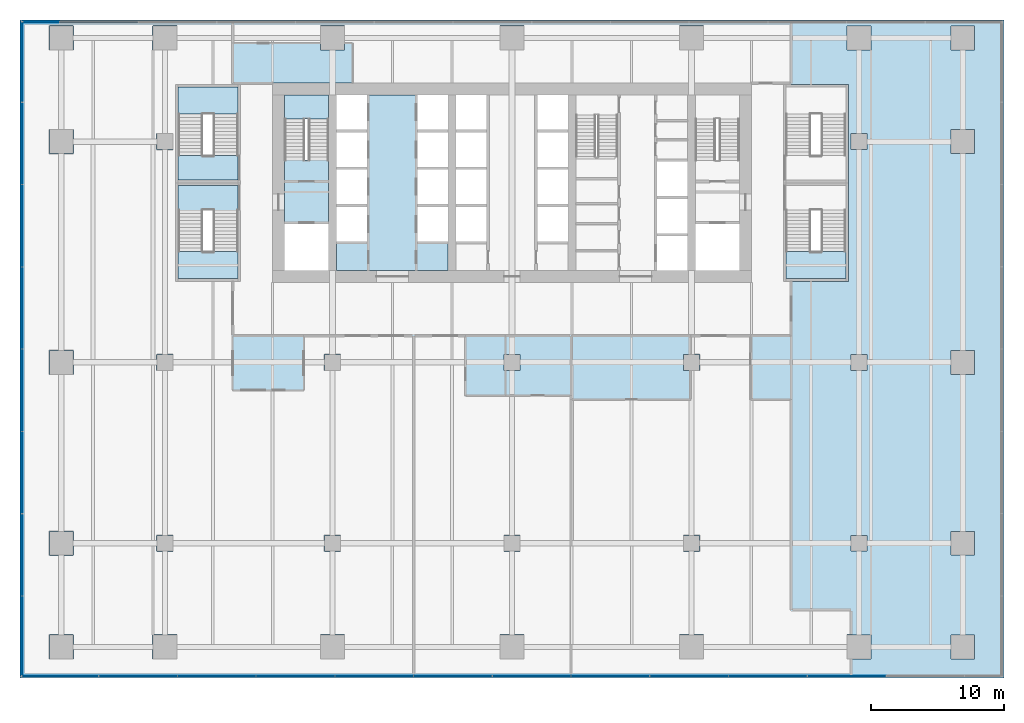
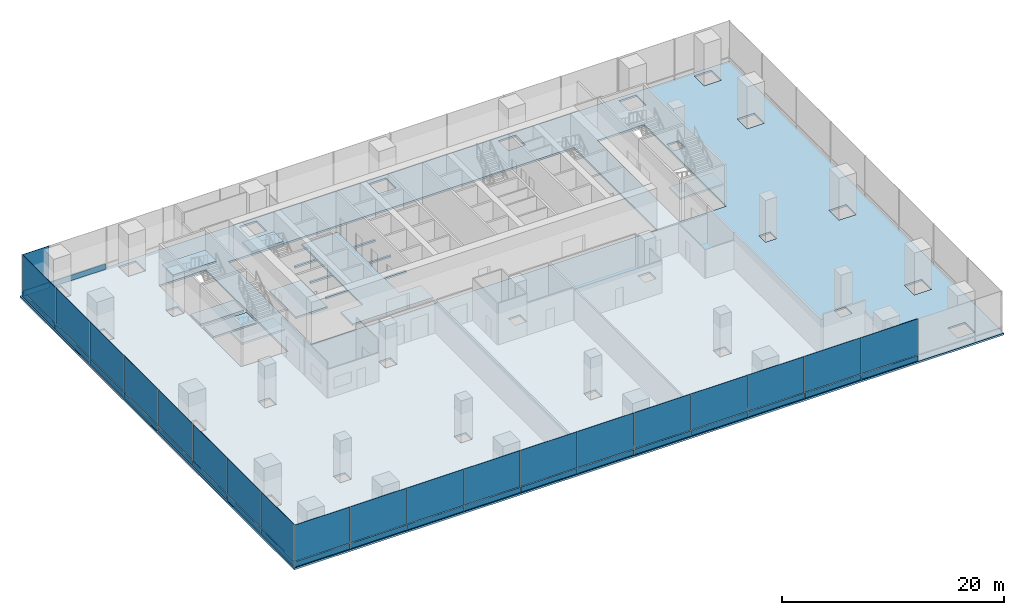
# One storey, part 17 of 28: 41 plates, 9 slabs, 7 elements without a shape of their own.
"""IFC4 building model written with IfcOpenShell, lengths in metres."""

import ifcopenshell
import ifcopenshell.guid

model = None  # the IFC model being written
_history = None  # IfcOwnerHistory: only IFC2X3 demands one
_inside = {}  # id of a spatial element -> (the spatial element, [elements in it])
_under = {}  # id of a project, library or spatial element -> (it, [spatial elements below it])
_declared = {}  # id of a project -> (the project, [libraries it declares])
_typed = {}  # id of a type object -> (the type object, [elements of that type])
_made_of = {}  # id of a material, layer set ... -> (it, [elements and type objects made of it])


def new_model(schema):
    """Start an empty IFC model of exactly this schema.

    Asked for "IFC4X3", IfcOpenShell would pick the latest addendum, in which some entities
    have other attributes; the version numbers below select the first issue.
    IFC2X3 requires an IfcOwnerHistory on every rooted entity: one is made here for all.
    """
    global model, _history
    if schema == "IFC4X3":
        model = ifcopenshell.file(schema_version=(4, 3, 0, 0))
    else:
        model = ifcopenshell.file(schema=schema)
    _inside.clear()
    _under.clear()
    _declared.clear()
    _typed.clear()
    _made_of.clear()
    _history = None
    if model.schema == "IFC2X3":
        org = make("IfcOrganization", Name="unknown")
        user = make(
            "IfcPersonAndOrganization",
            ThePerson=make("IfcPerson", FamilyName="unknown"),
            TheOrganization=org,
        )
        app = make(
            "IfcApplication",
            ApplicationDeveloper=org,
            Version="unknown",
            ApplicationFullName="unknown",
            ApplicationIdentifier="unknown",
        )
        _history = make(
            "IfcOwnerHistory",
            OwningUser=user,
            OwningApplication=app,
            ChangeAction="ADDED",
            CreationDate=0,
        )
    return model


def make(cls, **values):
    """One entity of the class cls with the attributes given. An attribute that is None is left unset."""
    return model.create_entity(
        cls, **{name: value for name, value in values.items() if value is not None}
    )


def rooted(cls, **values):
    """An entity with a GlobalId (a new one), such as an element, a storey or a relation."""
    return make(cls, GlobalId=ifcopenshell.guid.new(), OwnerHistory=_history, **values)


def si_unit(unit_type, name, prefix=None):
    """IfcSIUnit, for example si_unit("LENGTHUNIT", "METRE", prefix="MILLI")."""
    return make("IfcSIUnit", UnitType=unit_type, Prefix=prefix, Name=name)


def assignment(units):
    """IfcUnitAssignment: the units of a project."""
    return None if units is None else make("IfcUnitAssignment", Units=units)


def point(xyz):
    """IfcCartesianPoint."""
    return None if xyz is None else make("IfcCartesianPoint", Coordinates=xyz)


def direction(xyz):
    """IfcDirection."""
    return None if xyz is None else make("IfcDirection", DirectionRatios=xyz)


def frame(location, z_axis=None, x_axis=None):
    """IfcAxis2Placement3D, a coordinate frame: its origin and axes. An axis left out is left unset."""
    return make(
        "IfcAxis2Placement3D",
        Location=point(location),
        Axis=direction(z_axis),
        RefDirection=direction(x_axis),
    )


def frame_2d(location, x_axis=None):
    """IfcAxis2Placement2D, a coordinate frame in the plane: its origin and x axis."""
    return make(
        "IfcAxis2Placement2D", Location=point(location), RefDirection=direction(x_axis)
    )


def origin():
    """The frame at (0, 0, 0) with its axes left unset."""
    return frame((0.0, 0.0, 0.0))


def origin_2d():
    """The frame at (0, 0) in the plane with its x axis left unset."""
    return frame_2d((0.0, 0.0))


def place(relative_to, where):
    """IfcLocalPlacement: puts the frame where relative to a parent placement (None: the world)."""
    return make(
        "IfcLocalPlacement", PlacementRelTo=relative_to, RelativePlacement=where
    )


def context(
    kind, dimensions, precision=None, world=None, true_north=None, identifier=None
):
    """IfcGeometricRepresentationContext, for example the 3D "Model" context."""
    return make(
        "IfcGeometricRepresentationContext",
        ContextIdentifier=identifier,
        ContextType=kind,
        CoordinateSpaceDimension=dimensions,
        Precision=precision,
        WorldCoordinateSystem=world,
        TrueNorth=true_north,
    )


def subcontext(parent, identifier, kind, view, scale=None):
    """IfcGeometricRepresentationSubContext, for example "Body" below "Model"."""
    return make(
        "IfcGeometricRepresentationSubContext",
        ContextIdentifier=identifier,
        ContextType=kind,
        ParentContext=parent,
        TargetScale=scale,
        TargetView=view,
    )


def project(units=None, contexts=None):
    """IfcProject with its units and contexts."""
    return rooted(
        "IfcProject",
        Name="project",
        RepresentationContexts=contexts,
        UnitsInContext=assignment(units),
    )


def spatial(cls, under=None, at=None, **own):
    """A site, building, storey or space (cls), placed at a placement, below another one or the project."""
    s = rooted(cls, ObjectPlacement=at, **own)
    if under is not None:
        _under.setdefault(under.id(), (under, []))[1].append(s)
    return s


def polyline(points):
    """IfcPolyline through the points."""
    return make("IfcPolyline", Points=[point(p) for p in points])


def profile(cls, at=None, kind="AREA", **sizes):
    """A parametric profile (cls). Its sizes go by their IFC names, for example OverallWidth=200.0."""
    return make(cls, ProfileType=kind, Position=at, **sizes)


def rectangle(**sizes):
    """IfcRectangleProfileDef."""
    return profile("IfcRectangleProfileDef", **sizes)


def outline(outer, holes=None, kind="AREA"):
    """IfcArbitraryClosedProfileDef: a profile drawn as a closed curve; with holes, ...WithVoids."""
    if holes is None:
        return make("IfcArbitraryClosedProfileDef", ProfileType=kind, OuterCurve=outer)
    return make(
        "IfcArbitraryProfileDefWithVoids",
        ProfileType=kind,
        OuterCurve=outer,
        InnerCurves=holes,
    )


def extrude(swept, where, along, depth):
    """IfcExtrudedAreaSolid: the profile swept, set in the frame where, extruded along a direction by depth."""
    return make(
        "IfcExtrudedAreaSolid",
        SweptArea=swept,
        Position=where,
        ExtrudedDirection=direction(along),
        Depth=depth,
    )


def shape(context_of_items, identifier, shape_type, items):
    """IfcShapeRepresentation: the items that make up one representation, for example the "Body"."""
    return make(
        "IfcShapeRepresentation",
        ContextOfItems=context_of_items,
        RepresentationIdentifier=identifier,
        RepresentationType=shape_type,
        Items=items,
    )


def material(Name=None, Category=None):
    """IfcMaterial."""
    return make("IfcMaterial", Name=Name, Category=Category)


def layer(
    of_material, thickness, ventilated=None, Name=None, Category=None, Priority=None
):
    """IfcMaterialLayer: one layer of a wall or slab, of a material (None: an air gap)."""
    return make(
        "IfcMaterialLayer",
        Material=of_material,
        LayerThickness=thickness,
        IsVentilated=ventilated,
        Name=Name,
        Category=Category,
        Priority=Priority,
    )


def layer_set(layers, Name=None):
    """IfcMaterialLayerSet."""
    return make("IfcMaterialLayerSet", MaterialLayers=layers, LayerSetName=Name)


def made_of(thing, what):
    """Note that an element or type object is made of a material, layer set ...; save() writes the relation."""
    if what is not None:
        _made_of.setdefault(what.id(), (what, []))[1].append(thing)
    return thing


def type_object(cls, material=None, **own):
    """A type object (cls), such as IfcWallType, which elements share."""
    return made_of(rooted(cls, **own), material)


def element(
    cls,
    number,
    at=None,
    inside=None,
    cuts=None,
    type_object=None,
    material=None,
    context=None,
    identifier="Body",
    shape_type=None,
    held_by="IfcProductDefinitionShape",
    body=None,
    shapes=None,
    **own,
):
    """One element of the class cls, such as IfcWall. Its Tag is "e" and its number.

    at: its placement. inside: the storey or other place that contains it. cuts: it is an
    opening in that element (IfcRelVoidsElement). A single representation is given by context,
    identifier, shape_type and body (its items); several are given by shapes. held_by: the class
    of the entity that holds the representations. save() writes the other relations.
    """
    e = rooted(cls, Tag="e%d" % number, ObjectPlacement=at, **own)
    if body is not None:
        shapes = [shape(context, identifier, shape_type, body)]
    if shapes is not None:
        e.Representation = make(held_by, Representations=shapes)
    if inside is not None:
        _inside.setdefault(inside.id(), (inside, []))[1].append(e)
    if cuts is not None:
        rooted(
            "IfcRelVoidsElement", RelatingBuildingElement=cuts, RelatedOpeningElement=e
        )
    if type_object is not None:
        _typed.setdefault(type_object.id(), (type_object, []))[1].append(e)
    return made_of(e, material)


def aggregate(whole, parts):
    """IfcRelAggregates: a whole, such as a stair, and the parts it consists of."""
    return rooted("IfcRelAggregates", RelatingObject=whole, RelatedObjects=parts)


def save(model, path):
    """Write the relations noted so far, then the file.

    IfcRelAggregates (storeys below a building ...), IfcRelContainedInSpatialStructure (elements
    in a storey), IfcRelDefinesByType, IfcRelAssociatesMaterial and IfcRelDeclares: one each for
    every whole, place, type object, material and project.
    """
    for whole, parts in _under.values():
        aggregate(whole, parts)
    for where, things in _inside.values():
        rooted(
            "IfcRelContainedInSpatialStructure",
            RelatedElements=things,
            RelatingStructure=where,
        )
    for kind, things in _typed.values():
        rooted("IfcRelDefinesByType", RelatedObjects=things, RelatingType=kind)
    for what, things in _made_of.values():
        rooted("IfcRelAssociatesMaterial", RelatedObjects=things, RelatingMaterial=what)
    for by, libraries in _declared.values():
        rooted("IfcRelDeclares", RelatingContext=by, RelatedDefinitions=libraries)
    model.write(path)


model = new_model("IFC4")

# Units and contexts
model_context = context("Model", 3, precision=1e-05, world=origin(), true_north=direction((0.0, 1.0)))
body_context = subcontext(model_context, "Body", "Model", "MODEL_VIEW")
ifc_project = project(units=[si_unit("LENGTHUNIT", "METRE"), si_unit("AREAUNIT", "SQUARE_METRE"), si_unit("VOLUMEUNIT", "CUBIC_METRE"), si_unit("PLANEANGLEUNIT", "RADIAN"), si_unit("MASSUNIT", "GRAM", prefix="KILO")], contexts=[model_context])

# Site, building, storey
site_placement = place(None, origin())
site = spatial("IfcSite", under=ifc_project, at=site_placement, CompositionType="ELEMENT")
building_placement = place(site_placement, origin())
building = spatial("IfcBuilding", under=site, at=building_placement, Name="Rattan Terrace Tower", CompositionType="ELEMENT")
storey_placement = place(building_placement, frame((0.0, 0.0, 22.199951171875)))
storey = spatial("IfcBuildingStorey", under=building, at=storey_placement, Name="L04", CompositionType="ELEMENT", Elevation=22.199951171875)

# Stair, slab
ifc_material_1 = material(Name="Concrete C40/50", Category="concrete")
stair_type_1 = type_object("IfcStairType", Name="Core exit stair 1500", PredefinedType="HALF_TURN_STAIR", material=ifc_material_1)
stair_1_placement = place(storey_placement, origin())
stair_1 = element("IfcStair", 1, at=stair_1_placement, inside=storey, type_object=stair_type_1, Name="L04 exit stair 1", PredefinedType="HALF_TURN_STAIR")
ifc_material_2 = material(Name="Concrete C40/50", Category="concrete")
ifc_layer_1 = layer(ifc_material_2, 0.199951171875)
ifc_layer_set_1 = layer_set([ifc_layer_1], Name="Core exit stair landing")
slab_type_1 = type_object("IfcSlabType", Name="Core exit stair landing", PredefinedType="LANDING", material=ifc_layer_set_1)
slab_1_placement = place(storey_placement, frame((0.0, 0.0, 2.199951171875)))
slab_1 = element("IfcSlab", 2, at=slab_1_placement, type_object=slab_type_1, Name="S1 landing 1", PredefinedType="LANDING", context=body_context, shape_type="SweptSolid", body=[
    extrude(outline(polyline([(-13.800048828125, 4.820068359375), (-13.800048828125, 6.60009765625), (-17.10009765625, 6.60009765625), (-17.10009765625, 4.820068359375), (-13.800048828125, 4.820068359375)])), origin(), (0.0, 0.0, 1.0), 0.2001953125),
])
aggregate(stair_1, [slab_1])

ifc_material_3 = material(Name="Concrete C40/50", Category="concrete")
stair_type_2 = type_object("IfcStairType", Name="Core exit stair 1850", PredefinedType="HALF_TURN_STAIR", material=ifc_material_3)
stair_2_placement = place(storey_placement, origin())
stair_2 = element("IfcStair", 3, at=stair_2_placement, inside=storey, type_object=stair_type_2, Name="L04 exit stair 4", PredefinedType="HALF_TURN_STAIR")
slab_2_placement = place(storey_placement, frame((0.0, 0.0, 2.199951171875)))
slab_2 = element("IfcSlab", 4, at=slab_2_placement, type_object=slab_type_1, Name="S4 landing 1", PredefinedType="LANDING", context=body_context, shape_type="SweptSolid", body=[
    extrude(outline(polyline([(-25.10009765625, -5.169921875), (-25.10009765625, -7.199951171875), (-20.60009765625, -7.199951171875), (-20.60009765625, -5.169921875), (-25.10009765625, -5.169921875)])), origin(), (0.0, 0.0, 1.0), 0.2001953125),
])
aggregate(stair_2, [slab_2])

stair_3_placement = place(storey_placement, origin())
stair_3 = element("IfcStair", 5, at=stair_3_placement, inside=storey, type_object=stair_type_2, Name="L04 exit stair 5", PredefinedType="HALF_TURN_STAIR")
slab_3_placement = place(storey_placement, frame((0.0, 0.0, 2.199951171875)))
slab_3 = element("IfcSlab", 6, at=slab_3_placement, type_object=slab_type_1, Name="S5 landing 1", PredefinedType="LANDING", context=body_context, shape_type="SweptSolid", body=[
    extrude(outline(polyline([(-20.60009765625, 5.169921875), (-20.60009765625, 7.199951171875), (-25.10009765625, 7.199951171875), (-25.10009765625, 5.169921875), (-20.60009765625, 5.169921875)])), origin(), (0.0, 0.0, 1.0), 0.2001953125),
])
aggregate(stair_3, [slab_3])

stair_4_placement = place(storey_placement, origin())
stair_4 = element("IfcStair", 7, at=stair_4_placement, inside=storey, type_object=stair_type_2, Name="L04 exit stair 6", PredefinedType="HALF_TURN_STAIR")
slab_4_placement = place(storey_placement, frame((0.0, 0.0, 2.199951171875)))
slab_4 = element("IfcSlab", 8, at=slab_4_placement, type_object=slab_type_1, Name="S6 landing 1", PredefinedType="LANDING", context=body_context, shape_type="SweptSolid", body=[
    extrude(outline(polyline([(20.60009765625, -5.169921875), (20.60009765625, -7.199951171875), (25.10009765625, -7.199951171875), (25.10009765625, -5.169921875), (20.60009765625, -5.169921875)])), origin(), (0.0, 0.0, 1.0), 0.2001953125),
])
aggregate(stair_4, [slab_4])

# Slabs
ifc_material_4 = material(Name="Concrete C35/45", Category="concrete")
ifc_layer_2 = layer(ifc_material_4, 0.199951171875)
ifc_layer_set_2 = layer_set([ifc_layer_2], Name="Frame composite floor slab 200")
slab_type_2 = type_object("IfcSlabType", Name="Frame composite floor slab 200", PredefinedType="FLOOR", material=ifc_layer_set_2)
slab_5_placement = place(storey_placement, frame((0.0, 0.0, -0.199951171875)))
element("IfcSlab", 9, at=slab_5_placement, inside=storey, type_object=slab_type_2, Name="Floor slab", PredefinedType="FLOOR", context=body_context, shape_type="SweptSolid", body=[
    extrude(outline(polyline([(-37.0, -37.25), (37.0, -37.25), (37.0, 12.25), (-37.0, 12.25), (-37.0, -37.25)]), holes=[polyline([(-34.800048828125, -34.0), (-34.800048828125, -35.800048828125), (-33.0, -35.800048828125), (-33.0, -34.0), (-34.800048828125, -34.0)]), polyline([(-14.39990234375, -34.0), (-14.39990234375, -35.800048828125), (-12.60009765625, -35.800048828125), (-12.60009765625, -34.0), (-14.39990234375, -34.0)]), polyline([(-27.0, -34.0), (-27.0, -35.800048828125), (-25.199951171875, -35.800048828125), (-25.199951171875, -34.0), (-27.0, -34.0)]), polyline([(-12.89990234375, -26.5), (-14.10009765625, -26.5), (-14.10009765625, -27.699951171875), (-12.89990234375, -27.699951171875), (-12.89990234375, -26.5)]), polyline([(-25.5, -26.5), (-26.699951171875, -26.5), (-26.699951171875, -27.699951171875), (-25.5, -27.699951171875), (-25.5, -26.5)]), polyline([(-34.800048828125, -28.0), (-33.0, -28.0), (-33.0, -26.199951171875), (-34.800048828125, -26.199951171875), (-34.800048828125, -28.0)]), polyline([(-34.800048828125, -14.39990234375), (-33.0, -14.39990234375), (-33.0, -12.60009765625), (-34.800048828125, -12.60009765625), (-34.800048828125, -14.39990234375)]), polyline([(-14.10009765625, -12.89990234375), (-14.10009765625, -14.10009765625), (-12.89990234375, -14.10009765625), (-12.89990234375, -12.89990234375), (-14.10009765625, -12.89990234375)]), polyline([(-25.5, -12.89990234375), (-26.699951171875, -12.89990234375), (-26.699951171875, -14.10009765625), (-25.5, -14.10009765625), (-25.5, -12.89990234375)]), polyline([(-25.10009765625, -7.39990234375), (-20.60009765625, -7.39990234375), (-20.60009765625, -7.39990234375), (-20.39990234375, -7.39990234375), (-20.39990234375, 0.0), (-20.39990234375, 7.39990234375), (-20.60009765625, 7.39990234375), (-20.60009765625, 7.39990234375), (-25.10009765625, 7.39990234375), (-25.10009765625, 7.39990234375), (-25.300048828125, 7.39990234375), (-25.300048828125, 0.0), (-25.300048828125, -7.39990234375), (-25.10009765625, -7.39990234375), (-25.10009765625, -7.39990234375)]), polyline([(18.0, -6.60009765625), (18.0, 6.60009765625), (18.0, 7.5), (-18.0, 7.5), (-18.0, 6.60009765625), (-18.0, -6.60009765625), (-18.0, -7.5), (18.0, -7.5), (18.0, -6.60009765625)]), polyline([(-26.699951171875, 3.699951171875), (-26.699951171875, 2.5), (-25.5, 2.5), (-25.5, 3.699951171875), (-26.699951171875, 3.699951171875)]), polyline([(-34.800048828125, 4.0), (-34.800048828125, 2.199951171875), (-33.0, 2.199951171875), (-33.0, 4.0), (-34.800048828125, 4.0)]), polyline([(-25.199951171875, 11.800048828125), (-27.0, 11.800048828125), (-27.0, 10.0), (-25.199951171875, 10.0), (-25.199951171875, 11.800048828125)]), polyline([(-14.39990234375, 11.800048828125), (-14.39990234375, 10.0), (-12.60009765625, 10.0), (-12.60009765625, 11.800048828125), (-14.39990234375, 11.800048828125)]), polyline([(-34.800048828125, 11.800048828125), (-34.800048828125, 10.0), (-33.0, 10.0), (-33.0, 11.800048828125), (-34.800048828125, 11.800048828125)]), polyline([(-0.89990234375, -34.0), (-0.89990234375, -35.800048828125), (0.89990234375, -35.800048828125), (0.89990234375, -34.0), (-0.89990234375, -34.0)]), polyline([(0.60009765625, -26.5), (-0.60009765625, -26.5), (-0.60009765625, -27.699951171875), (0.60009765625, -27.699951171875), (0.60009765625, -26.5)]), polyline([(0.60009765625, -12.89990234375), (-0.60009765625, -12.89990234375), (-0.60009765625, -14.10009765625), (0.60009765625, -14.10009765625), (0.60009765625, -12.89990234375)]), polyline([(0.89990234375, 11.800048828125), (-0.89990234375, 11.800048828125), (-0.89990234375, 10.0), (0.89990234375, 10.0), (0.89990234375, 11.800048828125)]), polyline([(34.800048828125, -34.0), (33.0, -34.0), (33.0, -35.800048828125), (34.800048828125, -35.800048828125), (34.800048828125, -34.0)]), polyline([(25.199951171875, -34.0), (25.199951171875, -35.800048828125), (27.0, -35.800048828125), (27.0, -34.0), (25.199951171875, -34.0)]), polyline([(14.39990234375, -34.0), (12.60009765625, -34.0), (12.60009765625, -35.800048828125), (14.39990234375, -35.800048828125), (14.39990234375, -34.0)]), polyline([(14.10009765625, -26.5), (12.89990234375, -26.5), (12.89990234375, -27.699951171875), (14.10009765625, -27.699951171875), (14.10009765625, -26.5)]), polyline([(33.0, -28.0), (34.800048828125, -28.0), (34.800048828125, -26.199951171875), (33.0, -26.199951171875), (33.0, -28.0)]), polyline([(26.699951171875, -26.5), (25.5, -26.5), (25.5, -27.699951171875), (26.699951171875, -27.699951171875), (26.699951171875, -26.5)]), polyline([(33.0, -12.60009765625), (33.0, -14.39990234375), (34.800048828125, -14.39990234375), (34.800048828125, -12.60009765625), (33.0, -12.60009765625)]), polyline([(12.89990234375, -12.89990234375), (12.89990234375, -14.10009765625), (14.10009765625, -14.10009765625), (14.10009765625, -12.89990234375), (12.89990234375, -12.89990234375)]), polyline([(25.5, -12.89990234375), (25.5, -14.10009765625), (26.699951171875, -14.10009765625), (26.699951171875, -12.89990234375), (25.5, -12.89990234375)]), polyline([(20.60009765625, -7.39990234375), (20.60009765625, -7.39990234375), (25.10009765625, -7.39990234375), (25.10009765625, -7.39990234375), (25.300048828125, -7.39990234375), (25.300048828125, 0.0), (25.300048828125, 7.39990234375), (25.10009765625, 7.39990234375), (25.10009765625, 7.39990234375), (20.60009765625, 7.39990234375), (20.60009765625, 7.39990234375), (20.39990234375, 7.39990234375), (20.39990234375, 0.0), (20.39990234375, -7.39990234375), (20.60009765625, -7.39990234375)]), polyline([(25.5, 3.699951171875), (25.5, 2.5), (26.699951171875, 2.5), (26.699951171875, 3.699951171875), (25.5, 3.699951171875)]), polyline([(33.0, 2.199951171875), (34.800048828125, 2.199951171875), (34.800048828125, 4.0), (33.0, 4.0), (33.0, 2.199951171875)]), polyline([(25.199951171875, 11.800048828125), (25.199951171875, 10.0), (27.0, 10.0), (27.0, 11.800048828125), (25.199951171875, 11.800048828125)]), polyline([(34.800048828125, 11.800048828125), (33.0, 11.800048828125), (33.0, 10.0), (34.800048828125, 10.0), (34.800048828125, 11.800048828125)]), polyline([(14.39990234375, 11.800048828125), (12.60009765625, 11.800048828125), (12.60009765625, 10.0), (14.39990234375, 10.0), (14.39990234375, 11.800048828125)])]), origin(), (0.0, 0.0, 1.0), 0.199951171875),
])
slab_6_placement = place(storey_placement, frame((0.0, 0.0, -0.199951171875)))
element("IfcSlab", 10, at=slab_6_placement, inside=storey, type_object=slab_type_2, Name="Floor slab", PredefinedType="FLOOR", context=body_context, shape_type="SweptSolid", body=[
    extrude(outline(polyline([(-20.60009765625, 0.199951171875), (-20.60009765625, 2.06005859375), (-25.10009765625, 2.06005859375), (-25.10009765625, 0.199951171875), (-20.60009765625, 0.199951171875)])), origin(), (0.0, 0.0, 1.0), 0.199951171875),
])
slab_7_placement = place(storey_placement, frame((0.0, 0.0, -0.199951171875)))
element("IfcSlab", 11, at=slab_7_placement, inside=storey, type_object=slab_type_2, Name="Floor slab", PredefinedType="FLOOR", context=body_context, shape_type="SweptSolid", body=[
    extrude(outline(polyline([(-25.10009765625, -2.06005859375), (-20.60009765625, -2.06005859375), (-20.60009765625, -0.199951171875), (-25.10009765625, -0.199951171875), (-25.10009765625, -2.06005859375)])), origin(), (0.0, 0.0, 1.0), 0.199951171875),
])
slab_8_placement = place(storey_placement, frame((0.0, 0.0, -0.199951171875)))
element("IfcSlab", 12, at=slab_8_placement, inside=storey, type_object=slab_type_2, Name="Floor slab", PredefinedType="FLOOR", context=body_context, shape_type="SweptSolid", body=[
    extrude(outline(polyline([(-13.199951171875, 4.0), (-13.199951171875, 3.800048828125), (-10.89990234375, 3.800048828125), (-10.89990234375, 1.199951171875), (-13.199951171875, 1.199951171875), (-13.199951171875, 1.0), (-10.89990234375, 1.0), (-10.89990234375, -1.60009765625), (-13.199951171875, -1.60009765625), (-13.199951171875, -1.800048828125), (-10.89990234375, -1.800048828125), (-10.89990234375, -4.39990234375), (-13.199951171875, -4.39990234375), (-13.199951171875, -6.60009765625), (-4.800048828125, -6.60009765625), (-4.800048828125, -4.39990234375), (-7.10009765625, -4.39990234375), (-7.10009765625, -1.800048828125), (-4.800048828125, -1.800048828125), (-4.800048828125, -1.60009765625), (-7.10009765625, -1.60009765625), (-7.10009765625, 1.0), (-4.800048828125, 1.0), (-4.800048828125, 1.199951171875), (-7.10009765625, 1.199951171875), (-7.10009765625, 3.800048828125), (-4.800048828125, 3.800048828125), (-4.800048828125, 4.0), (-7.10009765625, 4.0), (-7.10009765625, 6.60009765625), (-10.89990234375, 6.60009765625), (-10.89990234375, 4.0), (-13.199951171875, 4.0)])), origin(), (0.0, 0.0, 1.0), 0.199951171875),
])
slab_9_placement = place(storey_placement, frame((0.0, 0.0, -0.199951171875)))
element("IfcSlab", 13, at=slab_9_placement, inside=storey, type_object=slab_type_2, Name="Floor slab", PredefinedType="FLOOR", context=body_context, shape_type="SweptSolid", body=[
    extrude(outline(polyline([(-17.10009765625, -3.10009765625), (-13.800048828125, -3.10009765625), (-13.800048828125, 1.7099609375), (-17.10009765625, 1.7099609375), (-17.10009765625, -3.10009765625)])), origin(), (0.0, 0.0, 1.0), 0.199951171875),
])

# Curtain wall, plates
ifc_material_5 = material(Name="Aluminium and glass", Category="aluminium")
ifc_layer_3 = layer(ifc_material_5, 0.1201171875)
ifc_layer_set_3 = layer_set([ifc_layer_3], Name="Station Storefront Curtain Wall")
curtain_wall_type = type_object("IfcCurtainWallType", Name="Station Storefront Curtain Wall", PredefinedType="NOTDEFINED", material=ifc_layer_set_3)
curtain_wall_1_placement = place(storey_placement, origin())
curtain_wall_1 = element("IfcCurtainWall", 14, at=curtain_wall_1_placement, inside=storey, type_object=curtain_wall_type, Name="Storefront curtain wall L04-2", PredefinedType="NOTDEFINED")
ifc_material_6 = material(Name="Granite bulkhead panel", Category="masonry")
ifc_layer_4 = layer(ifc_material_6, 0.110107421875)
ifc_layer_set_4 = layer_set([ifc_layer_4], Name="Storefront CW Stone Bulkhead Panel")
plate_type_1 = type_object("IfcPlateType", Name="Storefront CW Stone Bulkhead Panel", PredefinedType="CURTAIN_PANEL", material=ifc_layer_set_4)
plate_1_placement = place(storey_placement, frame((-31.080078125, 12.080078125, 0.0), z_axis=(0.0, 0.0, 1.0), x_axis=(-1.0, 0.0, 0.0)))
plate_1 = element("IfcPlate", 15, at=plate_1_placement, type_object=plate_type_1, Name="Panel cwl-L04-002.12.1", PredefinedType="CURTAIN_PANEL", context=body_context, shape_type="SweptSolid", body=[
    extrude(rectangle(XDim=5.8701171875, YDim=0.110107421875, at=origin_2d()), origin(), (0.0, 0.0, 1.0), 0.574951171875),
])
plate_2_placement = place(storey_placement, frame((-35.41748046875, 12.080078125, 0.0), z_axis=(0.0, 0.0, 1.0), x_axis=(-1.0, 0.0, 0.0)))
plate_2 = element("IfcPlate", 16, at=plate_2_placement, type_object=plate_type_1, Name="Panel cwl-L04-002.13.1", PredefinedType="CURTAIN_PANEL", context=body_context, shape_type="SweptSolid", body=[
    extrude(rectangle(XDim=2.705078125, YDim=0.110107421875, at=origin_2d()), origin(), (0.0, 0.0, 1.0), 0.574951171875),
])

curtain_wall_2_placement = place(storey_placement, origin())
curtain_wall_2 = element("IfcCurtainWall", 17, at=curtain_wall_2_placement, inside=storey, type_object=curtain_wall_type, Name="Storefront curtain wall L04-3", PredefinedType="NOTDEFINED")
plate_3_placement = place(storey_placement, frame((-36.830078125, 9.08837890625, 0.0), z_axis=(0.0, 0.0, 1.0), x_axis=(0.0, -1.0, 0.0)))
plate_3 = element("IfcPlate", 18, at=plate_3_placement, type_object=plate_type_1, Name="Panel cwl-L04-003.1.1", PredefinedType="CURTAIN_PANEL", context=body_context, shape_type="SweptSolid", body=[
    extrude(rectangle(XDim=6.0029296875, YDim=0.110107421875, at=origin_2d()), origin(), (0.0, 0.0, 1.0), 0.574951171875),
])
plate_4_placement = place(storey_placement, frame((-36.830078125, 2.968017578125, 0.0), z_axis=(0.0, 0.0, 1.0), x_axis=(0.0, -1.0, 0.0)))
plate_4 = element("IfcPlate", 19, at=plate_4_placement, type_object=plate_type_1, Name="Panel cwl-L04-003.2.1", PredefinedType="CURTAIN_PANEL", context=body_context, shape_type="SweptSolid", body=[
    extrude(rectangle(XDim=6.137939453125, YDim=0.110107421875, at=origin_2d()), origin(), (0.0, 0.0, 1.0), 0.574951171875),
])
plate_5_placement = place(storey_placement, frame((-36.830078125, -3.219970703125, 0.0), z_axis=(0.0, 0.0, 1.0), x_axis=(0.0, -1.0, 0.0)))
plate_5 = element("IfcPlate", 20, at=plate_5_placement, type_object=plate_type_1, Name="Panel cwl-L04-003.3.1", PredefinedType="CURTAIN_PANEL", context=body_context, shape_type="SweptSolid", body=[
    extrude(rectangle(XDim=6.137939453125, YDim=0.110107421875, at=origin_2d()), origin(), (0.0, 0.0, 1.0), 0.574951171875),
])
plate_6_placement = place(storey_placement, frame((-36.830078125, -9.407958984375, 0.0), z_axis=(0.0, 0.0, 1.0), x_axis=(0.0, -1.0, 0.0)))
plate_6 = element("IfcPlate", 21, at=plate_6_placement, type_object=plate_type_1, Name="Panel cwl-L04-003.4.1", PredefinedType="CURTAIN_PANEL", context=body_context, shape_type="SweptSolid", body=[
    extrude(rectangle(XDim=6.137939453125, YDim=0.110107421875, at=origin_2d()), origin(), (0.0, 0.0, 1.0), 0.574951171875),
])
plate_7_placement = place(storey_placement, frame((-36.830078125, -15.595947265625, 0.0), z_axis=(0.0, 0.0, 1.0), x_axis=(0.0, -1.0, 0.0)))
plate_7 = element("IfcPlate", 22, at=plate_7_placement, type_object=plate_type_1, Name="Panel cwl-L04-003.5.1", PredefinedType="CURTAIN_PANEL", context=body_context, shape_type="SweptSolid", body=[
    extrude(rectangle(XDim=6.137939453125, YDim=0.110107421875, at=origin_2d()), origin(), (0.0, 0.0, 1.0), 0.574951171875),
])
plate_8_placement = place(storey_placement, frame((-36.830078125, -21.783935546875, 0.0), z_axis=(0.0, 0.0, 1.0), x_axis=(0.0, -1.0, 0.0)))
plate_8 = element("IfcPlate", 23, at=plate_8_placement, type_object=plate_type_1, Name="Panel cwl-L04-003.6.1", PredefinedType="CURTAIN_PANEL", context=body_context, shape_type="SweptSolid", body=[
    extrude(rectangle(XDim=6.137939453125, YDim=0.110107421875, at=origin_2d()), origin(), (0.0, 0.0, 1.0), 0.574951171875),
])
plate_9_placement = place(storey_placement, frame((-36.830078125, -27.971923828125, 0.0), z_axis=(0.0, 0.0, 1.0), x_axis=(0.0, -1.0, 0.0)))
plate_9 = element("IfcPlate", 24, at=plate_9_placement, type_object=plate_type_1, Name="Panel cwl-L04-003.7.1", PredefinedType="CURTAIN_PANEL", context=body_context, shape_type="SweptSolid", body=[
    extrude(rectangle(XDim=6.137939453125, YDim=0.110107421875, at=origin_2d()), origin(), (0.0, 0.0, 1.0), 0.574951171875),
])
plate_10_placement = place(storey_placement, frame((-36.830078125, -34.055419921875, 0.0), z_axis=(0.0, 0.0, 1.0), x_axis=(0.0, -1.0, 0.0)))
plate_10 = element("IfcPlate", 25, at=plate_10_placement, type_object=plate_type_1, Name="Panel cwl-L04-003.8.1", PredefinedType="CURTAIN_PANEL", context=body_context, shape_type="SweptSolid", body=[
    extrude(rectangle(XDim=5.928955078125, YDim=0.110107421875, at=origin_2d()), origin(), (0.0, 0.0, 1.0), 0.574951171875),
])

curtain_wall_3_placement = place(storey_placement, origin())
curtain_wall_3 = element("IfcCurtainWall", 26, at=curtain_wall_3_placement, inside=storey, type_object=curtain_wall_type, Name="Storefront curtain wall L04-4", PredefinedType="NOTDEFINED")
plate_11_placement = place(storey_placement, frame((-33.972412109375, -37.080078125, 0.0), z_axis=(0.0, 0.0, 1.0), x_axis=(1.0, 0.0, 0.0)))
plate_11 = element("IfcPlate", 27, at=plate_11_placement, type_object=plate_type_1, Name="Panel cwl-L04-004.1.1", PredefinedType="CURTAIN_PANEL", context=body_context, shape_type="SweptSolid", body=[
    extrude(rectangle(XDim=5.735107421875, YDim=0.110107421875, at=origin_2d()), origin(), (0.0, 0.0, 1.0), 0.574951171875),
])
plate_12_placement = place(storey_placement, frame((-28.1201171875, -37.080078125, 0.0), z_axis=(0.0, 0.0, 1.0), x_axis=(1.0, 0.0, 0.0)))
plate_12 = element("IfcPlate", 28, at=plate_12_placement, type_object=plate_type_1, Name="Panel cwl-L04-004.2.1", PredefinedType="CURTAIN_PANEL", context=body_context, shape_type="SweptSolid", body=[
    extrude(rectangle(XDim=5.8701171875, YDim=0.110107421875, at=origin_2d()), origin(), (0.0, 0.0, 1.0), 0.574951171875),
])
plate_13_placement = place(storey_placement, frame((-22.199951171875, -37.080078125, 0.0), z_axis=(0.0, 0.0, 1.0), x_axis=(1.0, 0.0, 0.0)))
plate_13 = element("IfcPlate", 29, at=plate_13_placement, type_object=plate_type_1, Name="Panel cwl-L04-004.3.1", PredefinedType="CURTAIN_PANEL", context=body_context, shape_type="SweptSolid", body=[
    extrude(rectangle(XDim=5.8701171875, YDim=0.110107421875, at=origin_2d()), origin(), (0.0, 0.0, 1.0), 0.574951171875),
])
plate_14_placement = place(storey_placement, frame((-16.280029296875, -37.080078125, 0.0), z_axis=(0.0, 0.0, 1.0), x_axis=(1.0, 0.0, 0.0)))
plate_14 = element("IfcPlate", 30, at=plate_14_placement, type_object=plate_type_1, Name="Panel cwl-L04-004.4.1", PredefinedType="CURTAIN_PANEL", context=body_context, shape_type="SweptSolid", body=[
    extrude(rectangle(XDim=5.8701171875, YDim=0.110107421875, at=origin_2d()), origin(), (0.0, 0.0, 1.0), 0.574951171875),
])
plate_15_placement = place(storey_placement, frame((-10.360107421875, -37.080078125, 0.0), z_axis=(0.0, 0.0, 1.0), x_axis=(1.0, 0.0, 0.0)))
plate_15 = element("IfcPlate", 31, at=plate_15_placement, type_object=plate_type_1, Name="Panel cwl-L04-004.5.1", PredefinedType="CURTAIN_PANEL", context=body_context, shape_type="SweptSolid", body=[
    extrude(rectangle(XDim=5.8701171875, YDim=0.110107421875, at=origin_2d()), origin(), (0.0, 0.0, 1.0), 0.574951171875),
])
plate_16_placement = place(storey_placement, frame((-4.43994140625, -37.080078125, 0.0), z_axis=(0.0, 0.0, 1.0), x_axis=(1.0, 0.0, 0.0)))
plate_16 = element("IfcPlate", 32, at=plate_16_placement, type_object=plate_type_1, Name="Panel cwl-L04-004.6.1", PredefinedType="CURTAIN_PANEL", context=body_context, shape_type="SweptSolid", body=[
    extrude(rectangle(XDim=5.8701171875, YDim=0.110107421875, at=origin_2d()), origin(), (0.0, 0.0, 1.0), 0.574951171875),
])
plate_17_placement = place(storey_placement, frame((1.47998046875, -37.080078125, 0.0), z_axis=(0.0, 0.0, 1.0), x_axis=(1.0, 0.0, 0.0)))
plate_17 = element("IfcPlate", 33, at=plate_17_placement, type_object=plate_type_1, Name="Panel cwl-L04-004.7.1", PredefinedType="CURTAIN_PANEL", context=body_context, shape_type="SweptSolid", body=[
    extrude(rectangle(XDim=5.8701171875, YDim=0.110107421875, at=origin_2d()), origin(), (0.0, 0.0, 1.0), 0.574951171875),
])
plate_18_placement = place(storey_placement, frame((7.39990234375, -37.080078125, 0.0), z_axis=(0.0, 0.0, 1.0), x_axis=(1.0, 0.0, 0.0)))
plate_18 = element("IfcPlate", 34, at=plate_18_placement, type_object=plate_type_1, Name="Panel cwl-L04-004.8.1", PredefinedType="CURTAIN_PANEL", context=body_context, shape_type="SweptSolid", body=[
    extrude(rectangle(XDim=5.8701171875, YDim=0.110107421875, at=origin_2d()), origin(), (0.0, 0.0, 1.0), 0.574951171875),
])
plate_19_placement = place(storey_placement, frame((13.320068359375, -37.080078125, 0.0), z_axis=(0.0, 0.0, 1.0), x_axis=(1.0, 0.0, 0.0)))
plate_19 = element("IfcPlate", 35, at=plate_19_placement, type_object=plate_type_1, Name="Panel cwl-L04-004.9.1", PredefinedType="CURTAIN_PANEL", context=body_context, shape_type="SweptSolid", body=[
    extrude(rectangle(XDim=5.8701171875, YDim=0.110107421875, at=origin_2d()), origin(), (0.0, 0.0, 1.0), 0.574951171875),
])
plate_20_placement = place(storey_placement, frame((19.239990234375, -37.080078125, 0.0), z_axis=(0.0, 0.0, 1.0), x_axis=(1.0, 0.0, 0.0)))
plate_20 = element("IfcPlate", 36, at=plate_20_placement, type_object=plate_type_1, Name="Panel cwl-L04-004.10.1", PredefinedType="CURTAIN_PANEL", context=body_context, shape_type="SweptSolid", body=[
    extrude(rectangle(XDim=5.8701171875, YDim=0.110107421875, at=origin_2d()), origin(), (0.0, 0.0, 1.0), 0.574951171875),
])
plate_21_placement = place(storey_placement, frame((25.159912109375, -37.080078125, 0.0), z_axis=(0.0, 0.0, 1.0), x_axis=(1.0, 0.0, 0.0)))
plate_21 = element("IfcPlate", 37, at=plate_21_placement, type_object=plate_type_1, Name="Panel cwl-L04-004.11.1", PredefinedType="CURTAIN_PANEL", context=body_context, shape_type="SweptSolid", body=[
    extrude(rectangle(XDim=5.8701171875, YDim=0.110107421875, at=origin_2d()), origin(), (0.0, 0.0, 1.0), 0.574951171875),
])

# Plate
ifc_material_7 = material(Name="Clear toughened glass", Category="glass")
ifc_layer_5 = layer(ifc_material_7, 0.0439453125)
ifc_layer_set_5 = layer_set([ifc_layer_5], Name="Storefront CW Vision Panel")
plate_type_2 = type_object("IfcPlateType", Name="Storefront CW Vision Panel", PredefinedType="CURTAIN_PANEL", material=ifc_layer_set_5)
plate_22_placement = place(storey_placement, frame((-35.41748046875, 12.080078125, 0.625), z_axis=(0.0, 0.0, 1.0), x_axis=(-1.0, 0.0, 0.0)))
plate_22 = element("IfcPlate", 38, at=plate_22_placement, type_object=plate_type_2, Name="Panel cwl-L04-002.13.2", PredefinedType="CURTAIN_PANEL", context=body_context, shape_type="SweptSolid", body=[
    extrude(rectangle(XDim=2.705078125, YDim=0.0439453125, at=origin_2d()), origin(), (0.0, 0.0, 1.0), 3.97509765625),
])

aggregate(curtain_wall_1, [plate_1, plate_2, plate_22])

plate_23_placement = place(storey_placement, frame((-36.830078125, 9.08837890625, 0.625), z_axis=(0.0, 0.0, 1.0), x_axis=(0.0, -1.0, 0.0)))
plate_23 = element("IfcPlate", 39, at=plate_23_placement, type_object=plate_type_2, Name="Panel cwl-L04-003.1.2", PredefinedType="CURTAIN_PANEL", context=body_context, shape_type="SweptSolid", body=[
    extrude(rectangle(XDim=6.0029296875, YDim=0.0439453125, at=origin_2d()), origin(), (0.0, 0.0, 1.0), 3.97509765625),
])

plate_24_placement = place(storey_placement, frame((-36.830078125, 2.968017578125, 0.625), z_axis=(0.0, 0.0, 1.0), x_axis=(0.0, -1.0, 0.0)))
plate_24 = element("IfcPlate", 40, at=plate_24_placement, type_object=plate_type_2, Name="Panel cwl-L04-003.2.2", PredefinedType="CURTAIN_PANEL", context=body_context, shape_type="SweptSolid", body=[
    extrude(rectangle(XDim=6.137939453125, YDim=0.0439453125, at=origin_2d()), origin(), (0.0, 0.0, 1.0), 3.97509765625),
])

plate_25_placement = place(storey_placement, frame((-36.830078125, -3.219970703125, 0.625), z_axis=(0.0, 0.0, 1.0), x_axis=(0.0, -1.0, 0.0)))
plate_25 = element("IfcPlate", 41, at=plate_25_placement, type_object=plate_type_2, Name="Panel cwl-L04-003.3.2", PredefinedType="CURTAIN_PANEL", context=body_context, shape_type="SweptSolid", body=[
    extrude(rectangle(XDim=6.137939453125, YDim=0.0439453125, at=origin_2d()), origin(), (0.0, 0.0, 1.0), 3.97509765625),
])

plate_26_placement = place(storey_placement, frame((-36.830078125, -9.407958984375, 0.625), z_axis=(0.0, 0.0, 1.0), x_axis=(0.0, -1.0, 0.0)))
plate_26 = element("IfcPlate", 42, at=plate_26_placement, type_object=plate_type_2, Name="Panel cwl-L04-003.4.2", PredefinedType="CURTAIN_PANEL", context=body_context, shape_type="SweptSolid", body=[
    extrude(rectangle(XDim=6.137939453125, YDim=0.0439453125, at=origin_2d()), origin(), (0.0, 0.0, 1.0), 3.97509765625),
])

plate_27_placement = place(storey_placement, frame((-36.830078125, -15.595947265625, 0.625), z_axis=(0.0, 0.0, 1.0), x_axis=(0.0, -1.0, 0.0)))
plate_27 = element("IfcPlate", 43, at=plate_27_placement, type_object=plate_type_2, Name="Panel cwl-L04-003.5.2", PredefinedType="CURTAIN_PANEL", context=body_context, shape_type="SweptSolid", body=[
    extrude(rectangle(XDim=6.137939453125, YDim=0.0439453125, at=origin_2d()), origin(), (0.0, 0.0, 1.0), 3.97509765625),
])

plate_28_placement = place(storey_placement, frame((-36.830078125, -21.783935546875, 0.625), z_axis=(0.0, 0.0, 1.0), x_axis=(0.0, -1.0, 0.0)))
plate_28 = element("IfcPlate", 44, at=plate_28_placement, type_object=plate_type_2, Name="Panel cwl-L04-003.6.2", PredefinedType="CURTAIN_PANEL", context=body_context, shape_type="SweptSolid", body=[
    extrude(rectangle(XDim=6.137939453125, YDim=0.0439453125, at=origin_2d()), origin(), (0.0, 0.0, 1.0), 3.97509765625),
])

plate_29_placement = place(storey_placement, frame((-36.830078125, -27.971923828125, 0.625), z_axis=(0.0, 0.0, 1.0), x_axis=(0.0, -1.0, 0.0)))
plate_29 = element("IfcPlate", 45, at=plate_29_placement, type_object=plate_type_2, Name="Panel cwl-L04-003.7.2", PredefinedType="CURTAIN_PANEL", context=body_context, shape_type="SweptSolid", body=[
    extrude(rectangle(XDim=6.137939453125, YDim=0.0439453125, at=origin_2d()), origin(), (0.0, 0.0, 1.0), 3.97509765625),
])

plate_30_placement = place(storey_placement, frame((-36.830078125, -34.055419921875, 0.625), z_axis=(0.0, 0.0, 1.0), x_axis=(0.0, -1.0, 0.0)))
plate_30 = element("IfcPlate", 46, at=plate_30_placement, type_object=plate_type_2, Name="Panel cwl-L04-003.8.2", PredefinedType="CURTAIN_PANEL", context=body_context, shape_type="SweptSolid", body=[
    extrude(rectangle(XDim=5.928955078125, YDim=0.0439453125, at=origin_2d()), origin(), (0.0, 0.0, 1.0), 3.97509765625),
])

aggregate(curtain_wall_2, [plate_3, plate_23, plate_4, plate_24, plate_5, plate_25, plate_6, plate_26, plate_7, plate_27, plate_8, plate_28, plate_9, plate_29, plate_10, plate_30])

plate_31_placement = place(storey_placement, frame((-33.972412109375, -37.080078125, 0.625), z_axis=(0.0, 0.0, 1.0), x_axis=(1.0, 0.0, 0.0)))
plate_31 = element("IfcPlate", 47, at=plate_31_placement, type_object=plate_type_2, Name="Panel cwl-L04-004.1.2", PredefinedType="CURTAIN_PANEL", context=body_context, shape_type="SweptSolid", body=[
    extrude(rectangle(XDim=5.735107421875, YDim=0.0439453125, at=origin_2d()), origin(), (0.0, 0.0, 1.0), 3.97509765625),
])

plate_32_placement = place(storey_placement, frame((-28.1201171875, -37.080078125, 0.625), z_axis=(0.0, 0.0, 1.0), x_axis=(1.0, 0.0, 0.0)))
plate_32 = element("IfcPlate", 48, at=plate_32_placement, type_object=plate_type_2, Name="Panel cwl-L04-004.2.2", PredefinedType="CURTAIN_PANEL", context=body_context, shape_type="SweptSolid", body=[
    extrude(rectangle(XDim=5.8701171875, YDim=0.0439453125, at=origin_2d()), origin(), (0.0, 0.0, 1.0), 3.97509765625),
])

plate_33_placement = place(storey_placement, frame((-22.199951171875, -37.080078125, 0.625), z_axis=(0.0, 0.0, 1.0), x_axis=(1.0, 0.0, 0.0)))
plate_33 = element("IfcPlate", 49, at=plate_33_placement, type_object=plate_type_2, Name="Panel cwl-L04-004.3.2", PredefinedType="CURTAIN_PANEL", context=body_context, shape_type="SweptSolid", body=[
    extrude(rectangle(XDim=5.8701171875, YDim=0.0439453125, at=origin_2d()), origin(), (0.0, 0.0, 1.0), 3.97509765625),
])

plate_34_placement = place(storey_placement, frame((-16.280029296875, -37.080078125, 0.625), z_axis=(0.0, 0.0, 1.0), x_axis=(1.0, 0.0, 0.0)))
plate_34 = element("IfcPlate", 50, at=plate_34_placement, type_object=plate_type_2, Name="Panel cwl-L04-004.4.2", PredefinedType="CURTAIN_PANEL", context=body_context, shape_type="SweptSolid", body=[
    extrude(rectangle(XDim=5.8701171875, YDim=0.0439453125, at=origin_2d()), origin(), (0.0, 0.0, 1.0), 3.97509765625),
])

plate_35_placement = place(storey_placement, frame((-10.360107421875, -37.080078125, 0.625), z_axis=(0.0, 0.0, 1.0), x_axis=(1.0, 0.0, 0.0)))
plate_35 = element("IfcPlate", 51, at=plate_35_placement, type_object=plate_type_2, Name="Panel cwl-L04-004.5.2", PredefinedType="CURTAIN_PANEL", context=body_context, shape_type="SweptSolid", body=[
    extrude(rectangle(XDim=5.8701171875, YDim=0.0439453125, at=origin_2d()), origin(), (0.0, 0.0, 1.0), 3.97509765625),
])

plate_36_placement = place(storey_placement, frame((-4.43994140625, -37.080078125, 0.625), z_axis=(0.0, 0.0, 1.0), x_axis=(1.0, 0.0, 0.0)))
plate_36 = element("IfcPlate", 52, at=plate_36_placement, type_object=plate_type_2, Name="Panel cwl-L04-004.6.2", PredefinedType="CURTAIN_PANEL", context=body_context, shape_type="SweptSolid", body=[
    extrude(rectangle(XDim=5.8701171875, YDim=0.0439453125, at=origin_2d()), origin(), (0.0, 0.0, 1.0), 3.97509765625),
])

plate_37_placement = place(storey_placement, frame((1.47998046875, -37.080078125, 0.625), z_axis=(0.0, 0.0, 1.0), x_axis=(1.0, 0.0, 0.0)))
plate_37 = element("IfcPlate", 53, at=plate_37_placement, type_object=plate_type_2, Name="Panel cwl-L04-004.7.2", PredefinedType="CURTAIN_PANEL", context=body_context, shape_type="SweptSolid", body=[
    extrude(rectangle(XDim=5.8701171875, YDim=0.0439453125, at=origin_2d()), origin(), (0.0, 0.0, 1.0), 3.97509765625),
])

plate_38_placement = place(storey_placement, frame((7.39990234375, -37.080078125, 0.625), z_axis=(0.0, 0.0, 1.0), x_axis=(1.0, 0.0, 0.0)))
plate_38 = element("IfcPlate", 54, at=plate_38_placement, type_object=plate_type_2, Name="Panel cwl-L04-004.8.2", PredefinedType="CURTAIN_PANEL", context=body_context, shape_type="SweptSolid", body=[
    extrude(rectangle(XDim=5.8701171875, YDim=0.0439453125, at=origin_2d()), origin(), (0.0, 0.0, 1.0), 3.97509765625),
])

plate_39_placement = place(storey_placement, frame((13.320068359375, -37.080078125, 0.625), z_axis=(0.0, 0.0, 1.0), x_axis=(1.0, 0.0, 0.0)))
plate_39 = element("IfcPlate", 55, at=plate_39_placement, type_object=plate_type_2, Name="Panel cwl-L04-004.9.2", PredefinedType="CURTAIN_PANEL", context=body_context, shape_type="SweptSolid", body=[
    extrude(rectangle(XDim=5.8701171875, YDim=0.0439453125, at=origin_2d()), origin(), (0.0, 0.0, 1.0), 3.97509765625),
])

plate_40_placement = place(storey_placement, frame((19.239990234375, -37.080078125, 0.625), z_axis=(0.0, 0.0, 1.0), x_axis=(1.0, 0.0, 0.0)))
plate_40 = element("IfcPlate", 56, at=plate_40_placement, type_object=plate_type_2, Name="Panel cwl-L04-004.10.2", PredefinedType="CURTAIN_PANEL", context=body_context, shape_type="SweptSolid", body=[
    extrude(rectangle(XDim=5.8701171875, YDim=0.0439453125, at=origin_2d()), origin(), (0.0, 0.0, 1.0), 3.97509765625),
])

plate_41_placement = place(storey_placement, frame((25.159912109375, -37.080078125, 0.625), z_axis=(0.0, 0.0, 1.0), x_axis=(1.0, 0.0, 0.0)))
plate_41 = element("IfcPlate", 57, at=plate_41_placement, type_object=plate_type_2, Name="Panel cwl-L04-004.11.2", PredefinedType="CURTAIN_PANEL", context=body_context, shape_type="SweptSolid", body=[
    extrude(rectangle(XDim=5.8701171875, YDim=0.0439453125, at=origin_2d()), origin(), (0.0, 0.0, 1.0), 3.97509765625),
])

aggregate(curtain_wall_3, [plate_11, plate_31, plate_12, plate_32, plate_13, plate_33, plate_14, plate_34, plate_15, plate_35, plate_16, plate_36, plate_17, plate_37, plate_18, plate_38, plate_19, plate_39, plate_20, plate_40, plate_21, plate_41])

save(model, "model.ifc")
